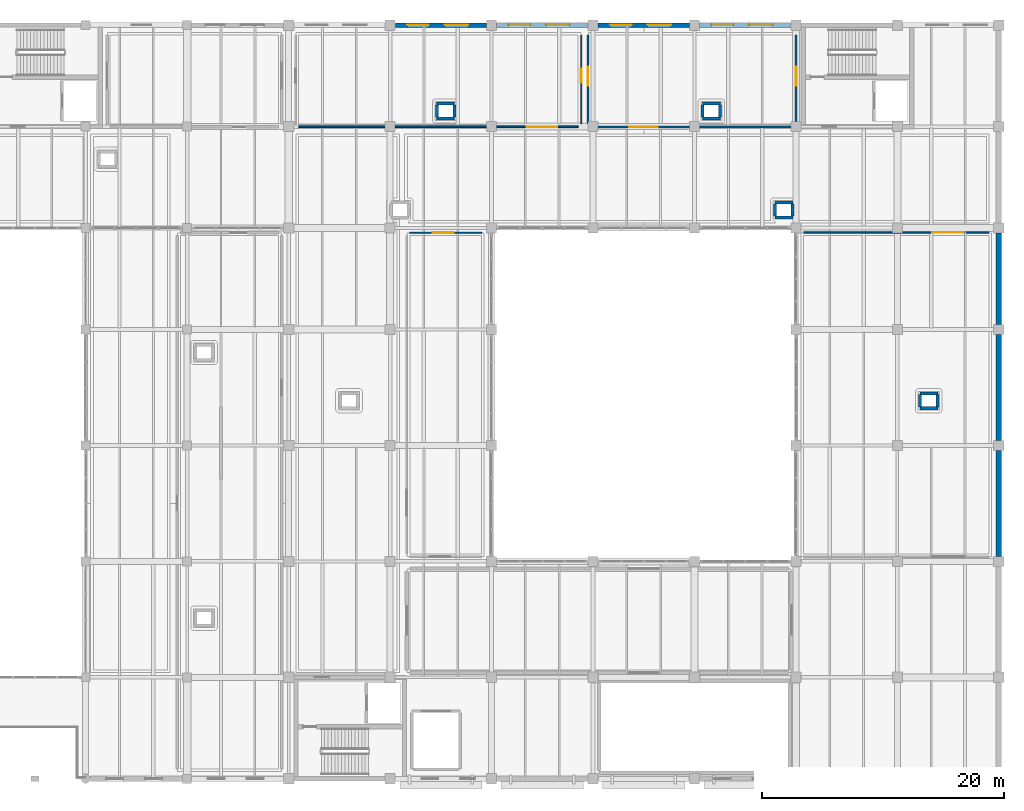
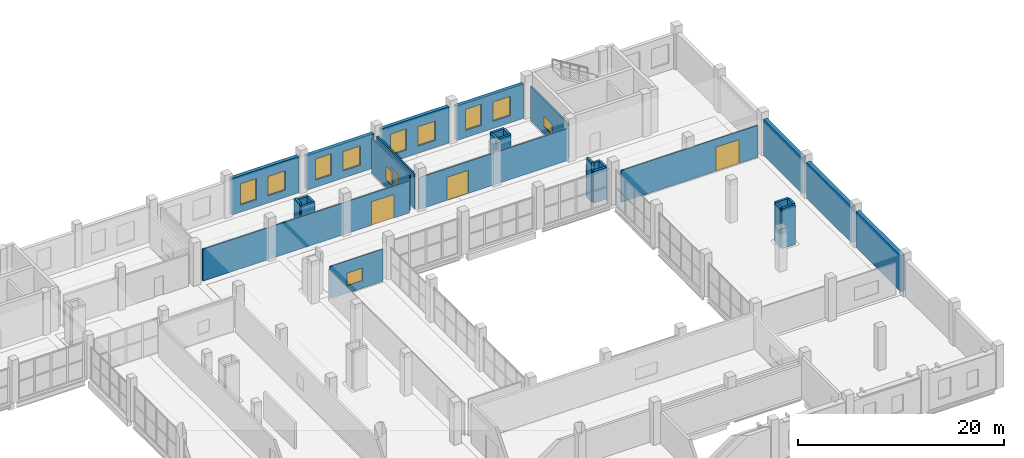
# One storey, part 51 of 66: 30 walls, 12 windows, 3 doors, 15 openings.
"""IFC4 building model written with IfcOpenShell, lengths in metres."""

from ifc_helpers import new_model, si_unit, direction, frame, frame_2d, origin, place, context, subcontext, project, spatial, rectangle, extrude, material, layer, layer_set, type_object, element, fill, save


model = new_model("IFC4")

# Units and contexts
model_context = context("Model", 3, precision=1e-05, world=origin(), true_north=direction((0.0, 1.0)))
body_context = subcontext(model_context, "Body", "Model", "MODEL_VIEW")
ifc_project = project(units=[si_unit("LENGTHUNIT", "METRE"), si_unit("AREAUNIT", "SQUARE_METRE"), si_unit("VOLUMEUNIT", "CUBIC_METRE"), si_unit("PLANEANGLEUNIT", "RADIAN"), si_unit("MASSUNIT", "GRAM", prefix="KILO")], contexts=[model_context])

# Site, building, storey
site_placement = place(None, origin())
site = spatial("IfcSite", under=ifc_project, at=site_placement, CompositionType="ELEMENT")
building_placement = place(site_placement, origin())
building = spatial("IfcBuilding", under=site, at=building_placement, Name="Zulmaris Art Gallery", CompositionType="ELEMENT")
storey_placement = place(building_placement, frame((0.0, 0.0, 5.39990234375)))
storey = spatial("IfcBuildingStorey", under=building, at=storey_placement, Name="L01", CompositionType="ELEMENT", Elevation=5.39990234375)

# Walls
ifc_material_1 = material(Name="Omani Cream Limestone Ashlar Masonry", Category="masonry")
ifc_layer_1 = layer(ifc_material_1, 0.43994140625)
ifc_layer_set_1 = layer_set([ifc_layer_1], Name="Omani Cream Limestone Ashlar Masonry")
wall_type_1 = type_object("IfcWallType", Name="ENV-WALL-EW01", PredefinedType="SOLIDWALL", material=ifc_layer_set_1)
wall_1_placement = place(storey_placement, frame((200.39990234375, 31.626953125, 0.0), z_axis=(0.0, 0.0, 1.0), x_axis=(0.0, 1.0, 0.0)))
element("IfcWall", 1, at=wall_1_placement, inside=storey, type_object=wall_type_1, Name="L01 V5 East Infill Party Wall", PredefinedType="SOLIDWALL", context=body_context, shape_type="SweptSolid", body=[
    extrude(rectangle(XDim=8.74609375, YDim=0.43994140625, at=frame_2d((4.373046875, 0.0))), origin(), (0.0, 0.0, 1.0), 4.27001953125),
])
wall_2_placement = place(storey_placement, frame((200.39990234375, 41.22705078125, 0.0), z_axis=(0.0, 0.0, 1.0), x_axis=(0.0, 1.0, 0.0)))
element("IfcWall", 2, at=wall_2_placement, inside=storey, type_object=wall_type_1, Name="L01 V5 East Infill Party Wall", PredefinedType="SOLIDWALL", context=body_context, shape_type="SweptSolid", body=[
    extrude(rectangle(XDim=8.745849609375, YDim=0.43994140625, at=frame_2d((4.373046875, 0.0))), origin(), (0.0, 0.0, 1.0), 4.27001953125),
])
wall_3_placement = place(storey_placement, frame((200.39990234375, 50.826904296875, 0.0), z_axis=(0.0, 0.0, 1.0), x_axis=(0.0, 1.0, 0.0)))
element("IfcWall", 3, at=wall_3_placement, inside=storey, type_object=wall_type_1, Name="L01 V5 East Infill Party Wall", PredefinedType="SOLIDWALL", context=body_context, shape_type="SweptSolid", body=[
    extrude(rectangle(XDim=7.546142578125, YDim=0.43994140625, at=frame_2d((3.77294921875, 0.0))), origin(), (0.0, 0.0, 1.0), 4.27001953125),
])

# Wall, openings, windows
ifc_material_2 = material(Name="Omani Desert Rose Limestone Cladding Wall", Category="masonry")
ifc_layer_2 = layer(ifc_material_2, 0.389892578125)
ifc_layer_set_2 = layer_set([ifc_layer_2], Name="Omani Desert Rose Limestone Cladding Wall")
wall_type_2 = type_object("IfcWallType", Name="ENV-WALL-EW02", PredefinedType="SOLIDWALL", material=ifc_layer_set_2)
wall_4_placement = place(storey_placement, frame((150.427001953125, 75.60009765625, 0.0), z_axis=(0.0, 0.0, 1.0), x_axis=(1.0, 0.0, 0.0)))
wall_4 = element("IfcWall", 4, at=wall_4_placement, inside=storey, type_object=wall_type_2, Name="L01 V5 North Studio Daylight Facade Bay 2", PredefinedType="SOLIDWALL", context=body_context, shape_type="SweptSolid", body=[
    extrude(rectangle(XDim=7.5458984375, YDim=0.389892578125, at=frame_2d((3.77294921875, 0.0))), origin(), (0.0, 0.0, 1.0), 4.320068359375),
])
opening_1_placement = place(wall_4_placement, frame((0.992919921875, 0.0, 0.85009765625)))
opening_1 = element("IfcOpeningElement", 5, at=opening_1_placement, cuts=wall_4, Name="Opening W02", PredefinedType="OPENING", context=body_context, shape_type="SweptSolid", body=[
    extrude(rectangle(XDim=1.800048828125, YDim=2.5, at=frame_2d((0.89990234375, 1.25))), frame((0.0, 0.204833984375, 0.0), z_axis=(0.0, -1.0, 0.0), x_axis=(1.0, 0.0, 0.0)), (0.0, 0.0, 1.0), 0.409912109375),
])
opening_2_placement = place(wall_4_placement, frame((4.093017578125, 0.0, 0.85009765625)))
opening_2 = element("IfcOpeningElement", 6, at=opening_2_placement, cuts=wall_4, Name="Opening W08", PredefinedType="OPENING", context=body_context, shape_type="SweptSolid", body=[
    extrude(rectangle(XDim=1.949951171875, YDim=2.300048828125, at=frame_2d((0.97509765625, 1.14990234375))), frame((0.0, 0.204833984375, 0.0), z_axis=(0.0, -1.0, 0.0), x_axis=(1.0, 0.0, 0.0)), (0.0, 0.0, 1.0), 0.409912109375),
])
ifc_material_3 = material(Name="Double-Glazed Solar-Control Low-E Window", Category="glass")
window_type_1 = type_object("IfcWindowType", Name="WIN-W02", PartitioningType="SINGLE_PANEL", PredefinedType="WINDOW", material=ifc_material_3)
window_1_placement = place(opening_1_placement, origin())
window_1 = element("IfcWindow", 7, at=window_1_placement, inside=storey, type_object=window_type_1, Name="L01 exterior window W02", OverallHeight=2.5, OverallWidth=1.800048828125, PartitioningType="SINGLE_PANEL", PredefinedType="WINDOW", context=body_context, shape_type="SweptSolid", body=[
    extrude(rectangle(XDim=1.800048828125, YDim=2.5, at=frame_2d((0.89990234375, 1.25))), frame((0.0, 0.030029296875, 0.0), z_axis=(0.0, -1.0, 0.0), x_axis=(1.0, 0.0, 0.0)), (0.0, 0.0, 1.0), 0.06005859375),
])
fill(opening_1, window_1)
ifc_material_4 = material(Name="Curatorial North Studio Window", Category="glass")
window_type_2 = type_object("IfcWindowType", Name="WIN-W08", PartitioningType="SINGLE_PANEL", PredefinedType="WINDOW", material=ifc_material_4)
window_2_placement = place(opening_2_placement, origin())
window_2 = element("IfcWindow", 8, at=window_2_placement, inside=storey, type_object=window_type_2, Name="L01 exterior window W08", OverallHeight=2.300048828125, OverallWidth=1.949951171875, PartitioningType="SINGLE_PANEL", PredefinedType="WINDOW", context=body_context, shape_type="SweptSolid", body=[
    extrude(rectangle(XDim=1.949951171875, YDim=2.300048828125, at=frame_2d((0.97509765625, 1.14990234375))), frame((0.0, 0.030029296875, 0.0), z_axis=(0.0, -1.0, 0.0), x_axis=(1.0, 0.0, 0.0)), (0.0, 0.0, 1.0), 0.06005859375),
])
fill(opening_2, window_2)

wall_5_placement = place(storey_placement, frame((158.826904296875, 75.60009765625, 0.0), z_axis=(0.0, 0.0, 1.0), x_axis=(1.0, 0.0, 0.0)))
wall_5 = element("IfcWall", 9, at=wall_5_placement, inside=storey, type_object=wall_type_2, Name="L01 V5 North Studio Daylight Facade Bay 3", PredefinedType="SOLIDWALL", context=body_context, shape_type="SweptSolid", body=[
    extrude(rectangle(XDim=7.546142578125, YDim=0.389892578125, at=frame_2d((3.77294921875, 0.0))), origin(), (0.0, 0.0, 1.0), 4.070068359375),
])
opening_3_placement = place(wall_5_placement, frame((0.992919921875, 0.0, 0.85009765625)))
opening_3 = element("IfcOpeningElement", 10, at=opening_3_placement, cuts=wall_5, Name="Opening W02", PredefinedType="OPENING", context=body_context, shape_type="SweptSolid", body=[
    extrude(rectangle(XDim=1.800048828125, YDim=2.5, at=frame_2d((0.89990234375, 1.25))), frame((0.0, 0.204833984375, 0.0), z_axis=(0.0, -1.0, 0.0), x_axis=(1.0, 0.0, 0.0)), (0.0, 0.0, 1.0), 0.409912109375),
])
opening_4_placement = place(wall_5_placement, frame((4.093017578125, 0.0, 0.85009765625)))
opening_4 = element("IfcOpeningElement", 11, at=opening_4_placement, cuts=wall_5, Name="Opening W08", PredefinedType="OPENING", context=body_context, shape_type="SweptSolid", body=[
    extrude(rectangle(XDim=1.949951171875, YDim=2.300048828125, at=frame_2d((0.97509765625, 1.14990234375))), frame((0.0, 0.204833984375, 0.0), z_axis=(0.0, -1.0, 0.0), x_axis=(1.0, 0.0, 0.0)), (0.0, 0.0, 1.0), 0.409912109375),
])
window_3_placement = place(opening_3_placement, origin())
window_3 = element("IfcWindow", 12, at=window_3_placement, inside=storey, type_object=window_type_1, Name="L01 exterior window W02", OverallHeight=2.5, OverallWidth=1.800048828125, PartitioningType="SINGLE_PANEL", PredefinedType="WINDOW", context=body_context, shape_type="SweptSolid", body=[
    extrude(rectangle(XDim=1.800048828125, YDim=2.5, at=frame_2d((0.89990234375, 1.25))), frame((0.0, 0.030029296875, 0.0), z_axis=(0.0, -1.0, 0.0), x_axis=(1.0, 0.0, 0.0)), (0.0, 0.0, 1.0), 0.06005859375),
])
fill(opening_3, window_3)
window_4_placement = place(opening_4_placement, origin())
window_4 = element("IfcWindow", 13, at=window_4_placement, inside=storey, type_object=window_type_2, Name="L01 exterior window W08", OverallHeight=2.300048828125, OverallWidth=1.949951171875, PartitioningType="SINGLE_PANEL", PredefinedType="WINDOW", context=body_context, shape_type="SweptSolid", body=[
    extrude(rectangle(XDim=1.949951171875, YDim=2.300048828125, at=frame_2d((0.97509765625, 1.14990234375))), frame((0.0, 0.030029296875, 0.0), z_axis=(0.0, -1.0, 0.0), x_axis=(1.0, 0.0, 0.0)), (0.0, 0.0, 1.0), 0.06005859375),
])
fill(opening_4, window_4)

wall_6_placement = place(storey_placement, frame((167.22705078125, 75.60009765625, 0.0), z_axis=(0.0, 0.0, 1.0), x_axis=(1.0, 0.0, 0.0)))
wall_6 = element("IfcWall", 14, at=wall_6_placement, inside=storey, type_object=wall_type_2, Name="L01 V5 North Studio Daylight Facade Bay 4", PredefinedType="SOLIDWALL", context=body_context, shape_type="SweptSolid", body=[
    extrude(rectangle(XDim=7.5458984375, YDim=0.389892578125, at=frame_2d((3.77294921875, 0.0))), origin(), (0.0, 0.0, 1.0), 4.320068359375),
])
opening_5_placement = place(wall_6_placement, frame((0.992919921875, 0.0, 0.85009765625)))
opening_5 = element("IfcOpeningElement", 15, at=opening_5_placement, cuts=wall_6, Name="Opening W02", PredefinedType="OPENING", context=body_context, shape_type="SweptSolid", body=[
    extrude(rectangle(XDim=1.800048828125, YDim=2.5, at=frame_2d((0.89990234375, 1.25))), frame((0.0, 0.204833984375, 0.0), z_axis=(0.0, -1.0, 0.0), x_axis=(1.0, 0.0, 0.0)), (0.0, 0.0, 1.0), 0.409912109375),
])
opening_6_placement = place(wall_6_placement, frame((4.093017578125, 0.0, 0.85009765625)))
opening_6 = element("IfcOpeningElement", 16, at=opening_6_placement, cuts=wall_6, Name="Opening W08", PredefinedType="OPENING", context=body_context, shape_type="SweptSolid", body=[
    extrude(rectangle(XDim=1.949951171875, YDim=2.300048828125, at=frame_2d((0.97509765625, 1.14990234375))), frame((0.0, 0.204833984375, 0.0), z_axis=(0.0, -1.0, 0.0), x_axis=(1.0, 0.0, 0.0)), (0.0, 0.0, 1.0), 0.409912109375),
])
window_5_placement = place(opening_5_placement, origin())
window_5 = element("IfcWindow", 17, at=window_5_placement, inside=storey, type_object=window_type_1, Name="L01 exterior window W02", OverallHeight=2.5, OverallWidth=1.800048828125, PartitioningType="SINGLE_PANEL", PredefinedType="WINDOW", context=body_context, shape_type="SweptSolid", body=[
    extrude(rectangle(XDim=1.800048828125, YDim=2.5, at=frame_2d((0.89990234375, 1.25))), frame((0.0, 0.030029296875, 0.0), z_axis=(0.0, -1.0, 0.0), x_axis=(1.0, 0.0, 0.0)), (0.0, 0.0, 1.0), 0.06005859375),
])
fill(opening_5, window_5)
window_6_placement = place(opening_6_placement, origin())
window_6 = element("IfcWindow", 18, at=window_6_placement, inside=storey, type_object=window_type_2, Name="L01 exterior window W08", OverallHeight=2.300048828125, OverallWidth=1.949951171875, PartitioningType="SINGLE_PANEL", PredefinedType="WINDOW", context=body_context, shape_type="SweptSolid", body=[
    extrude(rectangle(XDim=1.949951171875, YDim=2.300048828125, at=frame_2d((0.97509765625, 1.14990234375))), frame((0.0, 0.030029296875, 0.0), z_axis=(0.0, -1.0, 0.0), x_axis=(1.0, 0.0, 0.0)), (0.0, 0.0, 1.0), 0.06005859375),
])
fill(opening_6, window_6)

wall_7_placement = place(storey_placement, frame((175.626953125, 75.60009765625, 0.0), z_axis=(0.0, 0.0, 1.0), x_axis=(1.0, 0.0, 0.0)))
wall_7 = element("IfcWall", 19, at=wall_7_placement, inside=storey, type_object=wall_type_2, Name="L01 V5 North Studio Daylight Facade Bay 5", PredefinedType="SOLIDWALL", context=body_context, shape_type="SweptSolid", body=[
    extrude(rectangle(XDim=7.546142578125, YDim=0.389892578125, at=frame_2d((3.77294921875, 0.0))), origin(), (0.0, 0.0, 1.0), 4.070068359375),
])
opening_7_placement = place(wall_7_placement, frame((0.992919921875, 0.0, 0.85009765625)))
opening_7 = element("IfcOpeningElement", 20, at=opening_7_placement, cuts=wall_7, Name="Opening W02", PredefinedType="OPENING", context=body_context, shape_type="SweptSolid", body=[
    extrude(rectangle(XDim=1.800048828125, YDim=2.5, at=frame_2d((0.89990234375, 1.25))), frame((0.0, 0.204833984375, 0.0), z_axis=(0.0, -1.0, 0.0), x_axis=(1.0, 0.0, 0.0)), (0.0, 0.0, 1.0), 0.409912109375),
])
opening_8_placement = place(wall_7_placement, frame((4.093017578125, 0.0, 0.85009765625)))
opening_8 = element("IfcOpeningElement", 21, at=opening_8_placement, cuts=wall_7, Name="Opening W08", PredefinedType="OPENING", context=body_context, shape_type="SweptSolid", body=[
    extrude(rectangle(XDim=1.949951171875, YDim=2.300048828125, at=frame_2d((0.97509765625, 1.14990234375))), frame((0.0, 0.204833984375, 0.0), z_axis=(0.0, -1.0, 0.0), x_axis=(1.0, 0.0, 0.0)), (0.0, 0.0, 1.0), 0.409912109375),
])
window_7_placement = place(opening_7_placement, origin())
window_7 = element("IfcWindow", 22, at=window_7_placement, inside=storey, type_object=window_type_1, Name="L01 exterior window W02", OverallHeight=2.5, OverallWidth=1.800048828125, PartitioningType="SINGLE_PANEL", PredefinedType="WINDOW", context=body_context, shape_type="SweptSolid", body=[
    extrude(rectangle(XDim=1.800048828125, YDim=2.5, at=frame_2d((0.89990234375, 1.25))), frame((0.0, 0.030029296875, 0.0), z_axis=(0.0, -1.0, 0.0), x_axis=(1.0, 0.0, 0.0)), (0.0, 0.0, 1.0), 0.06005859375),
])
fill(opening_7, window_7)
window_8_placement = place(opening_8_placement, origin())
window_8 = element("IfcWindow", 23, at=window_8_placement, inside=storey, type_object=window_type_2, Name="L01 exterior window W08", OverallHeight=2.300048828125, OverallWidth=1.949951171875, PartitioningType="SINGLE_PANEL", PredefinedType="WINDOW", context=body_context, shape_type="SweptSolid", body=[
    extrude(rectangle(XDim=1.949951171875, YDim=2.300048828125, at=frame_2d((0.97509765625, 1.14990234375))), frame((0.0, 0.030029296875, 0.0), z_axis=(0.0, -1.0, 0.0), x_axis=(1.0, 0.0, 0.0)), (0.0, 0.0, 1.0), 0.06005859375),
])
fill(opening_8, window_8)

# Wall, opening, window
ifc_material_5 = material(Name="Acoustic Office Gypsum Partition", Category="gypsum")
ifc_layer_3 = layer(ifc_material_5, 0.10009765625)
ifc_layer_set_3 = layer_set([ifc_layer_3], Name="Acoustic Office Gypsum Partition")
wall_type_3 = type_object("IfcWallType", Name="IWALL-PW01", PredefinedType="PARTITIONING", material=ifc_layer_set_3)
wall_8_placement = place(storey_placement, frame((151.6298828125, 58.419921875, 0.0), z_axis=(0.0, 0.0, 1.0), x_axis=(1.0, 0.0, 0.0)))
wall_8 = element("IfcWall", 24, at=wall_8_placement, inside=storey, type_object=wall_type_3, Name="Framed Works Rack Art Store N partition", PredefinedType="PARTITIONING", context=body_context, shape_type="SweptSolid", body=[
    extrude(rectangle(XDim=5.940185546875, YDim=0.10009765625, at=frame_2d((2.97021484375, 0.0))), origin(), (0.0, 0.0, 1.0), 3.820068359375),
])
opening_9_placement = place(wall_8_placement, frame((1.89990234375, 0.0, 0.89990234375)))
opening_9 = element("IfcOpeningElement", 25, at=opening_9_placement, cuts=wall_8, Name="Opening IW06", PredefinedType="OPENING", context=body_context, shape_type="SweptSolid", body=[
    extrude(rectangle(XDim=1.719970703125, YDim=1.4599609375, at=frame_2d((0.85986328125, 0.72998046875))), frame((0.0, 0.06005859375, 0.0), z_axis=(0.0, -1.0, 0.0), x_axis=(1.0, 0.0, 0.0)), (0.0, 0.0, 1.0), 0.1201171875),
])
ifc_material_6 = material(Name="Library Reading Room Internal Glazing", Category="glass")
window_type_3 = type_object("IfcWindowType", Name="IWIN-IW06", PartitioningType="SINGLE_PANEL", PredefinedType="WINDOW", material=ifc_material_6)
window_9_placement = place(opening_9_placement, origin())
window_9 = element("IfcWindow", 26, at=window_9_placement, inside=storey, type_object=window_type_3, Name="L01 interior observation window IW06", OverallHeight=1.4599609375, OverallWidth=1.719970703125, PartitioningType="SINGLE_PANEL", PredefinedType="WINDOW", context=body_context, shape_type="SweptSolid", body=[
    extrude(rectangle(XDim=1.719970703125, YDim=1.4599609375, at=frame_2d((0.85986328125, 0.72998046875))), frame((0.0, 0.030029296875, 0.0), z_axis=(0.0, -1.0, 0.0), x_axis=(1.0, 0.0, 0.0)), (0.0, 0.0, 1.0), 0.06005859375),
])
fill(opening_9, window_9)

# Wall, opening, door
ifc_material_7 = material(Name="Light Gallery Backing Partition", Category="gypsum")
ifc_layer_4 = layer(ifc_material_7, 0.1298828125)
ifc_layer_set_4 = layer_set([ifc_layer_4], Name="Light Gallery Backing Partition")
wall_type_4 = type_object("IfcWallType", Name="IWALL-PW03", PredefinedType="PARTITIONING", material=ifc_layer_set_4)
wall_9_placement = place(storey_placement, frame((184.22998046875, 58.419921875, 0.0), z_axis=(0.0, 0.0, 1.0), x_axis=(1.0, 0.0, 0.0)))
wall_9 = element("IfcWall", 27, at=wall_9_placement, inside=storey, type_object=wall_type_4, Name="Rolled Tapestry & Carpet Art Store N partition", PredefinedType="PARTITIONING", context=body_context, shape_type="SweptSolid", body=[
    extrude(rectangle(XDim=15.340087890625, YDim=0.1298828125, at=frame_2d((7.669921875, 0.0))), origin(), (0.0, 0.0, 1.0), 3.77001953125),
])
opening_10_placement = place(wall_9_placement, frame((10.64990234375, 0.0, 0.0)))
opening_10 = element("IfcOpeningElement", 28, at=opening_10_placement, cuts=wall_9, Name="Opening VG02", PredefinedType="OPENING", context=body_context, shape_type="SweptSolid", body=[
    extrude(rectangle(XDim=2.580078125, YDim=2.820068359375, at=frame_2d((1.2900390625, 1.41015625))), frame((0.0, 0.074951171875, 0.0), z_axis=(0.0, -1.0, 0.0), x_axis=(1.0, 0.0, 0.0)), (0.0, 0.0, 1.0), 0.14990234375),
])
ifc_material_8 = material(Name="Sculpture Vault Heavy Security Gate B", Category="steel")
door_type_1 = type_object("IfcDoorType", Name="IDOOR-VG02", OperationType="DOUBLE_SWING_RIGHT", PredefinedType="GATE", material=ifc_material_8)
door_1_placement = place(opening_10_placement, origin())
door_1 = element("IfcDoor", 29, at=door_1_placement, inside=storey, type_object=door_type_1, Name="Rolled Tapestry & Carpet Art Store Door", OperationType="DOUBLE_SWING_RIGHT", OverallHeight=2.820068359375, OverallWidth=2.580078125, PredefinedType="GATE", context=body_context, shape_type="SweptSolid", body=[
    extrude(rectangle(XDim=2.580078125, YDim=2.820068359375, at=frame_2d((1.2900390625, 1.41015625))), frame((0.0, 0.02490234375, 0.0), z_axis=(0.0, -1.0, 0.0), x_axis=(1.0, 0.0, 0.0)), (0.0, 0.0, 1.0), 0.050048828125),
])
fill(opening_10, door_1)

ifc_material_9 = material(Name="Plywood-Backed Gallery Hanging Partition", Category="wood")
ifc_layer_5 = layer(ifc_material_9, 0.14501953125)
ifc_layer_set_5 = layer_set([ifc_layer_5], Name="Plywood-Backed Gallery Hanging Partition")
wall_type_5 = type_object("IfcWallType", Name="IWALL-PW04", PredefinedType="PARTITIONING", material=ifc_layer_set_5)
wall_10_placement = place(storey_placement, frame((142.429931640625, 67.179931640625, 0.0), z_axis=(0.0, 0.0, 1.0), x_axis=(1.0, 0.0, 0.0)))
wall_10 = element("IfcWall", 30, at=wall_10_placement, inside=storey, type_object=wall_type_5, Name="Photography Digitisation & Darkroom S partition", PredefinedType="PARTITIONING", context=body_context, shape_type="SweptSolid", body=[
    extrude(rectangle(XDim=23.14013671875, YDim=0.14501953125, at=frame_2d((11.570068359375, 0.0))), origin(), (0.0, 0.0, 1.0), 3.77001953125),
])
opening_11_placement = place(wall_10_placement, frame((18.89990234375, 0.0, 0.0)))
opening_11 = element("IfcOpeningElement", 31, at=opening_11_placement, cuts=wall_10, Name="Opening D28", PredefinedType="OPENING", context=body_context, shape_type="SweptSolid", body=[
    extrude(rectangle(XDim=2.52001953125, YDim=2.800048828125, at=frame_2d((1.260009765625, 1.39990234375))), frame((0.0, 0.08251953125, 0.0), z_axis=(0.0, -1.0, 0.0), x_axis=(1.0, 0.0, 0.0)), (0.0, 0.0, 1.0), 0.1650390625),
])
ifc_material_10 = material(Name="Top-Lit Grand Hall Portal", Category="aluminium")
door_type_2 = type_object("IfcDoorType", Name="IDOOR-D28", OperationType="DOUBLE_SWING_RIGHT", PredefinedType="DOOR", material=ifc_material_10)
door_2_placement = place(opening_11_placement, origin())
door_2 = element("IfcDoor", 32, at=door_2_placement, inside=storey, type_object=door_type_2, Name="Photography Digitisation & Darkroom Door", OperationType="DOUBLE_SWING_RIGHT", OverallHeight=2.800048828125, OverallWidth=2.52001953125, PredefinedType="DOOR", context=body_context, shape_type="SweptSolid", body=[
    extrude(rectangle(XDim=2.52001953125, YDim=2.800048828125, at=frame_2d((1.260009765625, 1.39990234375))), frame((0.0, 0.02490234375, 0.0), z_axis=(0.0, -1.0, 0.0), x_axis=(1.0, 0.0, 0.0)), (0.0, 0.0, 1.0), 0.050048828125),
])
fill(opening_11, door_2)

# Wall, opening, window
wall_11_placement = place(storey_placement, frame((165.820068359375, 67.429931640625, 0.0), z_axis=(0.0, 0.0, 1.0), x_axis=(0.0, 1.0, 0.0)))
wall_11 = element("IfcWall", 33, at=wall_11_placement, inside=storey, type_object=wall_type_5, Name="Photography Digitisation & Darkroom E partition", PredefinedType="PARTITIONING", context=body_context, shape_type="SweptSolid", body=[
    extrude(rectangle(XDim=7.340087890625, YDim=0.14501953125, at=frame_2d((3.669921875, 0.0))), origin(), (0.0, 0.0, 1.0), 4.175048828125),
])
opening_12_placement = place(wall_11_placement, frame((3.39990234375, 0.0, 0.89990234375)))
opening_12 = element("IfcOpeningElement", 34, at=opening_12_placement, cuts=wall_11, Name="Opening IW08", PredefinedType="OPENING", context=body_context, shape_type="SweptSolid", body=[
    extrude(rectangle(XDim=1.159912109375, YDim=1.6201171875, at=frame_2d((0.580078125, 0.81005859375))), frame((0.0, 0.08251953125, 0.0), z_axis=(0.0, -1.0, 0.0), x_axis=(1.0, 0.0, 0.0)), (0.0, 0.0, 1.0), 0.1650390625),
])
ifc_material_11 = material(Name="Foyer Cloakroom Counter Glazing", Category="glass")
window_type_4 = type_object("IfcWindowType", Name="IWIN-IW08", PartitioningType="SINGLE_PANEL", PredefinedType="WINDOW", material=ifc_material_11)
window_10_placement = place(opening_12_placement, origin())
window_10 = element("IfcWindow", 35, at=window_10_placement, inside=storey, type_object=window_type_4, Name="L01 interior observation window IW08", OverallHeight=1.6201171875, OverallWidth=1.159912109375, PartitioningType="SINGLE_PANEL", PredefinedType="WINDOW", context=body_context, shape_type="SweptSolid", body=[
    extrude(rectangle(XDim=1.159912109375, YDim=1.6201171875, at=frame_2d((0.580078125, 0.81005859375))), frame((0.0, 0.030029296875, 0.0), z_axis=(0.0, -1.0, 0.0), x_axis=(1.0, 0.0, 0.0)), (0.0, 0.0, 1.0), 0.06005859375),
])
fill(opening_12, window_10)

# Wall, opening, door
ifc_material_12 = material(Name="Timber-Backed Heavy Artwork Display Partition", Category="wood")
ifc_layer_6 = layer(ifc_material_12, 0.159912109375)
ifc_layer_set_6 = layer_set([ifc_layer_6], Name="Timber-Backed Heavy Artwork Display Partition")
wall_type_6 = type_object("IfcWallType", Name="IWALL-PW05", PredefinedType="PARTITIONING", material=ifc_layer_set_6)
wall_12_placement = place(storey_placement, frame((166.6298828125, 67.179931640625, 0.0), z_axis=(0.0, 0.0, 1.0), x_axis=(1.0, 0.0, 0.0)))
wall_12 = element("IfcWall", 36, at=wall_12_placement, inside=storey, type_object=wall_type_6, Name="Collections Cataloguing & Provenance Office S partition", PredefinedType="PARTITIONING", context=body_context, shape_type="SweptSolid", body=[
    extrude(rectangle(XDim=16.740234375, YDim=0.159912109375, at=frame_2d((8.3701171875, 0.0))), origin(), (0.0, 0.0, 1.0), 3.77001953125),
])
opening_13_placement = place(wall_12_placement, frame((3.14990234375, 0.0, 0.0)))
opening_13 = element("IfcOpeningElement", 37, at=opening_13_placement, cuts=wall_12, Name="Opening VG01", PredefinedType="OPENING", context=body_context, shape_type="SweptSolid", body=[
    extrude(rectangle(XDim=2.3798828125, YDim=2.739990234375, at=frame_2d((1.18994140625, 1.3701171875))), frame((0.0, 0.08984375, 0.0), z_axis=(0.0, -1.0, 0.0), x_axis=(1.0, 0.0, 0.0)), (0.0, 0.0, 1.0), 0.179931640625),
])
ifc_material_13 = material(Name="Climate Art Vault Vapor-Sealed Gate A", Category="steel")
door_type_3 = type_object("IfcDoorType", Name="IDOOR-VG01", OperationType="DOUBLE_SWING_LEFT", PredefinedType="GATE", material=ifc_material_13)
door_3_placement = place(opening_13_placement, origin())
door_3 = element("IfcDoor", 38, at=door_3_placement, inside=storey, type_object=door_type_3, Name="Collections Cataloguing & Provenance Office Door", OperationType="DOUBLE_SWING_LEFT", OverallHeight=2.739990234375, OverallWidth=2.3798828125, PredefinedType="GATE", context=body_context, shape_type="SweptSolid", body=[
    extrude(rectangle(XDim=2.3798828125, YDim=2.739990234375, at=frame_2d((1.18994140625, 1.3701171875))), frame((0.0, 0.02490234375, 0.0), z_axis=(0.0, -1.0, 0.0), x_axis=(1.0, 0.0, 0.0)), (0.0, 0.0, 1.0), 0.050048828125),
])
fill(opening_13, door_3)

# Wall, opening, window
wall_13_placement = place(storey_placement, frame((166.3798828125, 67.429931640625, 0.0), z_axis=(0.0, 0.0, 1.0), x_axis=(0.0, 1.0, 0.0)))
wall_13 = element("IfcWall", 39, at=wall_13_placement, inside=storey, type_object=wall_type_6, Name="Collections Cataloguing & Provenance Office W partition", PredefinedType="PARTITIONING", context=body_context, shape_type="SweptSolid", body=[
    extrude(rectangle(XDim=7.340087890625, YDim=0.159912109375, at=frame_2d((3.669921875, 0.0))), origin(), (0.0, 0.0, 1.0), 4.175048828125),
])
opening_14_placement = place(wall_13_placement, frame((3.14990234375, 0.0, 0.89990234375)))
opening_14 = element("IfcOpeningElement", 40, at=opening_14_placement, cuts=wall_13, Name="Opening IW09", PredefinedType="OPENING", context=body_context, shape_type="SweptSolid", body=[
    extrude(rectangle(XDim=1.580078125, YDim=1.239990234375, at=frame_2d((0.7900390625, 0.6201171875))), frame((0.0, 0.08984375, 0.0), z_axis=(0.0, -1.0, 0.0), x_axis=(1.0, 0.0, 0.0)), (0.0, 0.0, 1.0), 0.179931640625),
])
ifc_material_14 = material(Name="Registrar Inspection Glazing", Category="glass")
window_type_5 = type_object("IfcWindowType", Name="IWIN-IW09", PartitioningType="SINGLE_PANEL", PredefinedType="WINDOW", material=ifc_material_14)
window_11_placement = place(opening_14_placement, origin())
window_11 = element("IfcWindow", 41, at=window_11_placement, inside=storey, type_object=window_type_5, Name="L01 interior observation window IW09", OverallHeight=1.239990234375, OverallWidth=1.580078125, PartitioningType="SINGLE_PANEL", PredefinedType="WINDOW", context=body_context, shape_type="SweptSolid", body=[
    extrude(rectangle(XDim=1.580078125, YDim=1.239990234375, at=frame_2d((0.7900390625, 0.6201171875))), frame((0.0, 0.030029296875, 0.0), z_axis=(0.0, -1.0, 0.0), x_axis=(1.0, 0.0, 0.0)), (0.0, 0.0, 1.0), 0.06005859375),
])
fill(opening_14, window_11)

wall_14_placement = place(storey_placement, frame((183.6201171875, 67.429931640625, 0.0), z_axis=(0.0, 0.0, 1.0), x_axis=(0.0, 1.0, 0.0)))
wall_14 = element("IfcWall", 42, at=wall_14_placement, inside=storey, type_object=wall_type_6, Name="Collections Cataloguing & Provenance Office E partition", PredefinedType="PARTITIONING", context=body_context, shape_type="SweptSolid", body=[
    extrude(rectangle(XDim=7.340087890625, YDim=0.159912109375, at=frame_2d((3.669921875, 0.0))), origin(), (0.0, 0.0, 1.0), 4.0751953125),
])
opening_15_placement = place(wall_14_placement, frame((3.14990234375, 0.0, 0.89990234375)))
opening_15 = element("IfcOpeningElement", 43, at=opening_15_placement, cuts=wall_14, Name="Opening IW09", PredefinedType="OPENING", context=body_context, shape_type="SweptSolid", body=[
    extrude(rectangle(XDim=1.580078125, YDim=1.239990234375, at=frame_2d((0.7900390625, 0.6201171875))), frame((0.0, 0.08984375, 0.0), z_axis=(0.0, -1.0, 0.0), x_axis=(1.0, 0.0, 0.0)), (0.0, 0.0, 1.0), 0.179931640625),
])
window_12_placement = place(opening_15_placement, origin())
window_12 = element("IfcWindow", 44, at=window_12_placement, inside=storey, type_object=window_type_5, Name="L01 interior observation window IW09", OverallHeight=1.239990234375, OverallWidth=1.580078125, PartitioningType="SINGLE_PANEL", PredefinedType="WINDOW", context=body_context, shape_type="SweptSolid", body=[
    extrude(rectangle(XDim=1.580078125, YDim=1.239990234375, at=frame_2d((0.7900390625, 0.6201171875))), frame((0.0, 0.030029296875, 0.0), z_axis=(0.0, -1.0, 0.0), x_axis=(1.0, 0.0, 0.0)), (0.0, 0.0, 1.0), 0.06005859375),
])
fill(opening_15, window_12)

# Walls
ifc_material_15 = material(Name="MEP Riser & Smoke Shaft Enclosure Wall", Category="masonry")
ifc_layer_7 = layer(ifc_material_15, 0.2548828125)
ifc_layer_set_7 = layer_set([ifc_layer_7], Name="MEP Riser & Smoke Shaft Enclosure Wall")
wall_type_7 = type_object("IfcWallType", Name="IWALL-PW11", PredefinedType="PARTITIONING", material=ifc_layer_set_7)
for number, where, z_axis, x_axis, name in (
    (45, (181.860107421875, 60.919921875, 0.0), (0.0, 0.0, 1.0), (1.0, 0.0, 0.0), "L01 MEP Riser 14 N wall"),
    (46, (181.860107421875, 59.679931640625, 0.0), (0.0, 0.0, 1.0), (1.0, 0.0, 0.0), "L01 MEP Riser 14 S wall"),
):
    element("IfcWall", number, at=place(storey_placement, frame(where, z_axis=z_axis, x_axis=x_axis)), inside=storey, type_object=wall_type_7, Name=name, PredefinedType="PARTITIONING", context=body_context, shape_type="SweptSolid", body=[
        extrude(rectangle(XDim=1.47998046875, YDim=0.2548828125, at=frame_2d((0.739990234375, 0.0))), origin(), (0.0, 0.0, 1.0), 3.77001953125),
    ])
wall_15_placement = place(storey_placement, frame((181.8798828125, 59.800048828125, 0.0), z_axis=(0.0, 0.0, 1.0), x_axis=(0.0, 1.0, 0.0)))
element("IfcWall", 47, at=wall_15_placement, inside=storey, type_object=wall_type_7, Name="L01 MEP Riser 14 W wall", PredefinedType="PARTITIONING", context=body_context, shape_type="SweptSolid", body=[
    extrude(rectangle(XDim=1.0, YDim=0.2548828125, at=frame_2d((0.5, 0.0))), origin(), (0.0, 0.0, 1.0), 4.72021484375),
])
wall_16_placement = place(storey_placement, frame((183.320068359375, 59.800048828125, 0.0), z_axis=(0.0, 0.0, 1.0), x_axis=(0.0, 1.0, 0.0)))
element("IfcWall", 48, at=wall_16_placement, inside=storey, type_object=wall_type_7, Name="L01 MEP Riser 14 E wall", PredefinedType="PARTITIONING", context=body_context, shape_type="SweptSolid", body=[
    extrude(rectangle(XDim=1.0, YDim=0.2548828125, at=frame_2d((0.5, 0.0))), origin(), (0.0, 0.0, 1.0), 3.77001953125),
])
for number, where, z_axis, x_axis, name in (
    (49, (153.860107421875, 69.1201171875, 0.0), (0.0, 0.0, 1.0), (1.0, 0.0, 0.0), "L01 MEP Riser 15 N wall"),
    (50, (153.860107421875, 67.8798828125, 0.0), (0.0, 0.0, 1.0), (1.0, 0.0, 0.0), "L01 MEP Riser 15 S wall"),
):
    element("IfcWall", number, at=place(storey_placement, frame(where, z_axis=z_axis, x_axis=x_axis)), inside=storey, type_object=wall_type_7, Name=name, PredefinedType="PARTITIONING", context=body_context, shape_type="SweptSolid", body=[
        extrude(rectangle(XDim=1.47998046875, YDim=0.2548828125, at=frame_2d((0.739990234375, 0.0))), origin(), (0.0, 0.0, 1.0), 4.400146484375),
    ])
wall_17_placement = place(storey_placement, frame((153.8798828125, 68.0, 0.0), z_axis=(0.0, 0.0, 1.0), x_axis=(0.0, 1.0, 0.0)))
element("IfcWall", 51, at=wall_17_placement, inside=storey, type_object=wall_type_7, Name="L01 MEP Riser 15 W wall", PredefinedType="PARTITIONING", context=body_context, shape_type="SweptSolid", body=[
    extrude(rectangle(XDim=1.0, YDim=0.2548828125, at=frame_2d((0.5, 0.0))), origin(), (0.0, 0.0, 1.0), 4.72021484375),
])
wall_18_placement = place(storey_placement, frame((155.320068359375, 68.0, 0.0), z_axis=(0.0, 0.0, 1.0), x_axis=(0.0, 1.0, 0.0)))
element("IfcWall", 52, at=wall_18_placement, inside=storey, type_object=wall_type_7, Name="L01 MEP Riser 15 E wall", PredefinedType="PARTITIONING", context=body_context, shape_type="SweptSolid", body=[
    extrude(rectangle(XDim=1.0, YDim=0.2548828125, at=frame_2d((0.5, 0.0))), origin(), (0.0, 0.0, 1.0), 4.400146484375),
])
for number, where, z_axis, x_axis, name in (
    (53, (175.860107421875, 69.1201171875, 0.0), (0.0, 0.0, 1.0), (1.0, 0.0, 0.0), "L01 MEP Riser 16 N wall"),
    (54, (175.860107421875, 67.8798828125, 0.0), (0.0, 0.0, 1.0), (1.0, 0.0, 0.0), "L01 MEP Riser 16 S wall"),
):
    element("IfcWall", number, at=place(storey_placement, frame(where, z_axis=z_axis, x_axis=x_axis)), inside=storey, type_object=wall_type_7, Name=name, PredefinedType="PARTITIONING", context=body_context, shape_type="SweptSolid", body=[
        extrude(rectangle(XDim=1.47998046875, YDim=0.2548828125, at=frame_2d((0.739990234375, 0.0))), origin(), (0.0, 0.0, 1.0), 4.72021484375),
    ])
for number, where, z_axis, x_axis, name in (
    (55, (175.8798828125, 68.0, 0.0), (0.0, 0.0, 1.0), (0.0, 1.0, 0.0), "L01 MEP Riser 16 W wall"),
    (56, (177.320068359375, 68.0, 0.0), (0.0, 0.0, 1.0), (0.0, 1.0, 0.0), "L01 MEP Riser 16 E wall"),
):
    element("IfcWall", number, at=place(storey_placement, frame(where, z_axis=z_axis, x_axis=x_axis)), inside=storey, type_object=wall_type_7, Name=name, PredefinedType="PARTITIONING", context=body_context, shape_type="SweptSolid", body=[
        extrude(rectangle(XDim=1.0, YDim=0.2548828125, at=frame_2d((0.5, 0.0))), origin(), (0.0, 0.0, 1.0), 4.72021484375),
    ])
for number, where, z_axis, x_axis, name in (
    (57, (193.860107421875, 45.1201171875, 0.0), (0.0, 0.0, 1.0), (1.0, 0.0, 0.0), "L01 MEP Riser 18 N wall"),
    (58, (193.860107421875, 43.8798828125, 0.0), (0.0, 0.0, 1.0), (1.0, 0.0, 0.0), "L01 MEP Riser 18 S wall"),
):
    element("IfcWall", number, at=place(storey_placement, frame(where, z_axis=z_axis, x_axis=x_axis)), inside=storey, type_object=wall_type_7, Name=name, PredefinedType="PARTITIONING", context=body_context, shape_type="SweptSolid", body=[
        extrude(rectangle(XDim=1.47998046875, YDim=0.2548828125, at=frame_2d((0.739990234375, 0.0))), origin(), (0.0, 0.0, 1.0), 4.72021484375),
    ])
for number, where, z_axis, x_axis, name in (
    (59, (193.8798828125, 44.0, 0.0), (0.0, 0.0, 1.0), (0.0, 1.0, 0.0), "L01 MEP Riser 18 W wall"),
    (60, (195.320068359375, 44.0, 0.0), (0.0, 0.0, 1.0), (0.0, 1.0, 0.0), "L01 MEP Riser 18 E wall"),
):
    element("IfcWall", number, at=place(storey_placement, frame(where, z_axis=z_axis, x_axis=x_axis)), inside=storey, type_object=wall_type_7, Name=name, PredefinedType="PARTITIONING", context=body_context, shape_type="SweptSolid", body=[
        extrude(rectangle(XDim=1.0, YDim=0.2548828125, at=frame_2d((0.5, 0.0))), origin(), (0.0, 0.0, 1.0), 4.72021484375),
    ])

save(model, "model.ifc")
